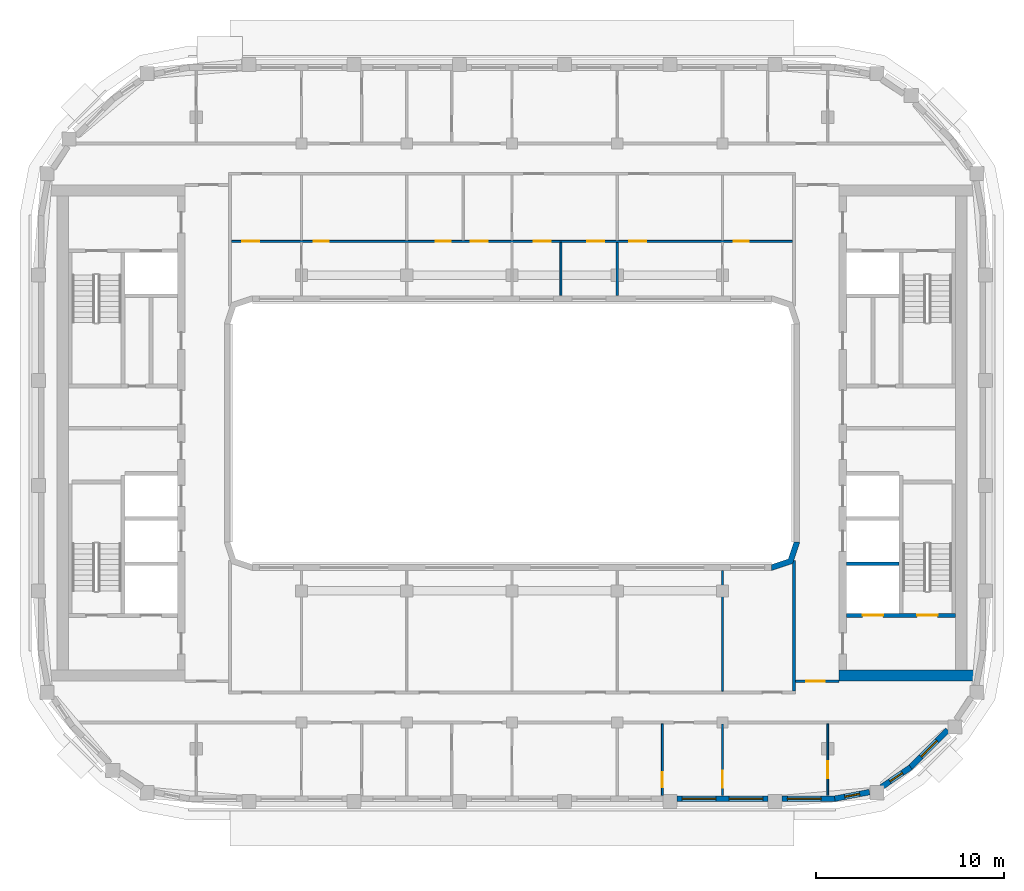
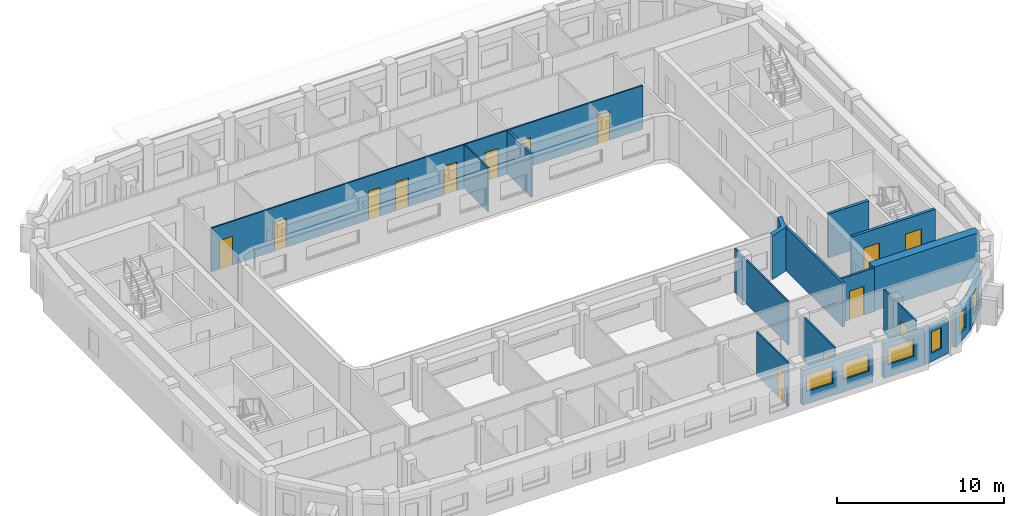
# One storey, part 5 of 16: 18 walls, 14 doors, 6 windows, 20 openings.
"""IFC4 building model written with IfcOpenShell, lengths in metres."""

from ifc_helpers import new_model, si_unit, direction, frame, frame_2d, origin, place, context, subcontext, project, spatial, polyline, rectangle, outline, extrude, material, layer, layer_set, type_object, element, fill, save


model = new_model("IFC4")

# Units and contexts
model_context = context("Model", 3, precision=1e-05, world=origin(), true_north=direction((0.0, 1.0)))
body_context = subcontext(model_context, "Body", "Model", "MODEL_VIEW")
ifc_project = project(units=[si_unit("LENGTHUNIT", "METRE"), si_unit("AREAUNIT", "SQUARE_METRE"), si_unit("VOLUMEUNIT", "CUBIC_METRE"), si_unit("PLANEANGLEUNIT", "RADIAN"), si_unit("MASSUNIT", "GRAM", prefix="KILO")], contexts=[model_context])

# Site, building, storey
site_placement = place(None, origin())
site = spatial("IfcSite", under=ifc_project, at=site_placement, CompositionType="ELEMENT")
building_placement = place(site_placement, origin())
building = spatial("IfcBuilding", under=site, at=building_placement, Name="Kiln Ring Residences", CompositionType="ELEMENT")
storey_placement = place(building_placement, frame((0.0, 0.0, 276.699951171875)))
storey = spatial("IfcBuildingStorey", under=building, at=storey_placement, Name="L72", CompositionType="ELEMENT", Elevation=276.699951171875)

# Wall
ifc_material_1 = material(Name="Gypsum shaft wall system")
ifc_layer_1 = layer(ifc_material_1, 0.199951171875)
ifc_layer_set_1 = layer_set([ifc_layer_1], Name="CORE-SHAFT-WALL-200")
wall_type_1 = type_object("IfcWallType", Name="CORE-SHAFT-WALL-200", PredefinedType="PARTITIONING", material=ifc_layer_set_1)
wall_1_placement = place(storey_placement, frame((17.800048828125, -6.949951171875, 0.0), z_axis=(0.0, 0.0, 1.0), x_axis=(1.0, 0.0, 0.0)))
element("IfcWall", 1, at=wall_1_placement, inside=storey, type_object=wall_type_1, Name="Core partition east L72 3", PredefinedType="PARTITIONING", context=body_context, shape_type="SweptSolid", body=[
    extrude(rectangle(XDim=2.800048828125, YDim=0.199951171875, at=frame_2d((1.39990234375, 0.0))), origin(), (0.0, 0.0, 1.0), 3.199951171875),
])

# Wall, openings, doors
ifc_material_2 = material(Name="Concrete C40/50", Category="concrete")
ifc_layer_2 = layer(ifc_material_2, 0.199951171875)
ifc_layer_set_2 = layer_set([ifc_layer_2], Name="CORE-WALL-RC200")
wall_type_2 = type_object("IfcWallType", Name="CORE-WALL-RC200", PredefinedType="SHEAR", material=ifc_layer_set_2)
wall_2_placement = place(storey_placement, frame((17.800048828125, -9.699951171875, 0.0), z_axis=(0.0, 0.0, 1.0), x_axis=(1.0, 0.0, 0.0)))
wall_2 = element("IfcWall", 2, at=wall_2_placement, inside=storey, type_object=wall_type_2, Name="Core wall east L72 8", PredefinedType="SHEAR", context=body_context, shape_type="SweptSolid", body=[
    extrude(rectangle(XDim=5.800048828125, YDim=0.199951171875, at=frame_2d((2.89990234375, 0.0))), origin(), (0.0, 0.0, 1.0), 3.199951171875),
])
opening_1_placement = place(wall_2_placement, frame((0.85009765625, 0.0, 0.0)))
opening_1 = element("IfcOpeningElement", 3, at=opening_1_placement, cuts=wall_2, Name="Opening L72-CE01", PredefinedType="OPENING", context=body_context, shape_type="SweptSolid", body=[
    extrude(rectangle(XDim=1.10009765625, YDim=2.10009765625, at=frame_2d((0.550048828125, 1.050048828125))), frame((0.0, 0.10986328125, 0.0), z_axis=(0.0, -1.0, 0.0), x_axis=(1.0, 0.0, 0.0)), (0.0, 0.0, 1.0), 0.219970703125),
])
opening_2_placement = place(wall_2_placement, frame((3.75, 0.0, 0.0)))
opening_2 = element("IfcOpeningElement", 4, at=opening_2_placement, cuts=wall_2, Name="Opening L72-CE11", PredefinedType="OPENING", context=body_context, shape_type="SweptSolid", body=[
    extrude(rectangle(XDim=1.10009765625, YDim=2.10009765625, at=frame_2d((0.550048828125, 1.050048828125))), frame((0.0, 0.10986328125, 0.0), z_axis=(0.0, -1.0, 0.0), x_axis=(1.0, 0.0, 0.0)), (0.0, 0.0, 1.0), 0.219970703125),
])
ifc_material_3 = material(Name="Steel door leaf", Category="steel")
door_type_1 = type_object("IfcDoorType", Name="CORE-DOOR-LD", OperationType="DOUBLE_DOOR_SLIDING", PredefinedType="DOOR", material=ifc_material_3)
door_1_placement = place(opening_1_placement, origin())
door_1 = element("IfcDoor", 5, at=door_1_placement, inside=storey, type_object=door_type_1, Name="LD E-SV L72-CE01", OperationType="DOUBLE_DOOR_SLIDING", OverallHeight=2.10009765625, OverallWidth=1.10009765625, PredefinedType="DOOR", context=body_context, shape_type="SweptSolid", body=[
    extrude(rectangle(XDim=1.10009765625, YDim=2.10009765625, at=frame_2d((0.550048828125, 1.050048828125))), frame((0.0, 0.02490234375, 0.0), z_axis=(0.0, -1.0, 0.0), x_axis=(1.0, 0.0, 0.0)), (0.0, 0.0, 1.0), 0.050048828125),
])
fill(opening_1, door_1)
ifc_material_4 = material(Name="Steel door leaf", Category="steel")
door_type_2 = type_object("IfcDoorType", Name="CORE-DOOR-STAIR", OperationType="SINGLE_SWING_LEFT", PredefinedType="DOOR", material=ifc_material_4)
door_2_placement = place(opening_2_placement, origin())
door_2 = element("IfcDoor", 6, at=door_2_placement, inside=storey, type_object=door_type_2, Name="Stair E-STS L72-CE11", OperationType="SINGLE_SWING_LEFT", OverallHeight=2.10009765625, OverallWidth=1.10009765625, PredefinedType="DOOR", context=body_context, shape_type="SweptSolid", body=[
    extrude(rectangle(XDim=1.10009765625, YDim=2.10009765625, at=frame_2d((0.550048828125, 1.050048828125))), frame((0.0, 0.02490234375, 0.0), z_axis=(0.0, -1.0, 0.0), x_axis=(1.0, 0.0, 0.0)), (0.0, 0.0, 1.0), 0.050048828125),
])
fill(opening_2, door_2)

# Wall
ifc_material_5 = material(Name="Concrete C60/75", Category="concrete")
ifc_layer_3 = layer(ifc_material_5, 0.60009765625)
ifc_layer_set_3 = layer_set([ifc_layer_3], Name="CORE-WALL-RC600")
wall_type_3 = type_object("IfcWallType", Name="CORE-WALL-RC600", PredefinedType="SHEAR", material=ifc_layer_set_3)
wall_3_placement = place(storey_placement, frame((17.39990234375, -12.89990234375, 0.0), z_axis=(0.0, 0.0, 1.0), x_axis=(1.0, 0.0, 0.0)))
element("IfcWall", 7, at=wall_3_placement, inside=storey, type_object=wall_type_3, Name="Core wall east L72 5", PredefinedType="SHEAR", context=body_context, shape_type="SweptSolid", body=[
    extrude(rectangle(XDim=7.320068359375, YDim=0.60009765625, at=frame_2d((3.66015625, 0.0))), origin(), (0.0, 0.0, 1.0), 3.199951171875),
])

# Wall, openings, windows
ifc_material_6 = material(Name="Brick masonry, dark clay brick", Category="masonry")
ifc_layer_4 = layer(ifc_material_6, 0.300048828125)
ifc_layer_set_4 = layer_set([ifc_layer_4], Name="EW-300 BRICK WALL")
wall_type_4 = type_object("IfcWallType", Name="EW-300 BRICK WALL", PredefinedType="SOLIDWALL", material=ifc_layer_set_4)
wall_4_placement = place(storey_placement, frame((8.77490234375, -19.449951171875, 0.0), z_axis=(0.0, 0.0, 1.0), x_axis=(1.0, 0.0, 0.0)))
wall_4 = element("IfcWall", 8, at=wall_4_placement, inside=storey, type_object=wall_type_4, Name="Facade wall L72 9", PredefinedType="SOLIDWALL", context=body_context, shape_type="SweptSolid", body=[
    extrude(rectangle(XDim=4.85009765625, YDim=0.300048828125, at=frame_2d((2.425048828125, 0.0))), origin(), (0.0, 0.0, 1.0), 2.550048828125),
])
opening_3_placement = place(wall_4_placement, frame((0.27490234375, 0.0, 0.89990234375)))
opening_3 = element("IfcOpeningElement", 9, at=opening_3_placement, cuts=wall_4, Name="Opening W2", PredefinedType="OPENING", context=body_context, shape_type="SweptSolid", body=[
    extrude(rectangle(XDim=1.800048828125, YDim=1.25, at=frame_2d((0.89990234375, 0.625))), frame((0.0, 0.159912109375, 0.0), z_axis=(0.0, -1.0, 0.0), x_axis=(1.0, 0.0, 0.0)), (0.0, 0.0, 1.0), 0.320068359375),
])
opening_4_placement = place(wall_4_placement, frame((2.77490234375, 0.0, 0.89990234375)))
opening_4 = element("IfcOpeningElement", 10, at=opening_4_placement, cuts=wall_4, Name="Opening W2", PredefinedType="OPENING", context=body_context, shape_type="SweptSolid", body=[
    extrude(rectangle(XDim=1.800048828125, YDim=1.25, at=frame_2d((0.89990234375, 0.625))), frame((0.0, 0.159912109375, 0.0), z_axis=(0.0, -1.0, 0.0), x_axis=(1.0, 0.0, 0.0)), (0.0, 0.0, 1.0), 0.320068359375),
])
ifc_material_7 = material(Name="Aluminium frame with double glazing", Category="aluminium")
window_type_1 = type_object("IfcWindowType", Name="WINDOW 1800 x 1250", PartitioningType="SINGLE_PANEL", PredefinedType="WINDOW", material=ifc_material_7)
window_1_placement = place(opening_3_placement, origin())
window_1 = element("IfcWindow", 11, at=window_1_placement, inside=storey, type_object=window_type_1, Name="Window L72 12", OverallHeight=1.25, OverallWidth=1.800048828125, PartitioningType="SINGLE_PANEL", PredefinedType="WINDOW", context=body_context, shape_type="SweptSolid", body=[
    extrude(rectangle(XDim=1.800048828125, YDim=1.25, at=frame_2d((0.89990234375, 0.625))), frame((0.0, 0.030029296875, 0.0), z_axis=(0.0, -1.0, 0.0), x_axis=(1.0, 0.0, 0.0)), (0.0, 0.0, 1.0), 0.06005859375),
])
fill(opening_3, window_1)
window_2_placement = place(opening_4_placement, origin())
window_2 = element("IfcWindow", 12, at=window_2_placement, inside=storey, type_object=window_type_1, Name="Window L72 13", OverallHeight=1.25, OverallWidth=1.800048828125, PartitioningType="SINGLE_PANEL", PredefinedType="WINDOW", context=body_context, shape_type="SweptSolid", body=[
    extrude(rectangle(XDim=1.800048828125, YDim=1.25, at=frame_2d((0.89990234375, 0.625))), frame((0.0, 0.030029296875, 0.0), z_axis=(0.0, -1.0, 0.0), x_axis=(1.0, 0.0, 0.0)), (0.0, 0.0, 1.0), 0.06005859375),
])
fill(opening_4, window_2)

# Wall, opening, window
wall_5_placement = place(storey_placement, frame((14.375, -19.449951171875, 0.0), z_axis=(0.0, 0.0, 1.0), x_axis=(1.0, 0.0, 0.0)))
wall_5 = element("IfcWall", 13, at=wall_5_placement, inside=storey, type_object=wall_type_4, Name="Facade wall L72 10", PredefinedType="SOLIDWALL", context=body_context, shape_type="SweptSolid", body=[
    extrude(rectangle(XDim=2.824951171875, YDim=0.300048828125, at=frame_2d((1.41259765625, 0.0))), origin(), (0.0, 0.0, 1.0), 2.550048828125),
])
opening_5_placement = place(wall_5_placement, frame((0.27490234375, 0.0, 0.89990234375)))
opening_5 = element("IfcOpeningElement", 14, at=opening_5_placement, cuts=wall_5, Name="Opening W2", PredefinedType="OPENING", context=body_context, shape_type="SweptSolid", body=[
    extrude(rectangle(XDim=1.800048828125, YDim=1.25, at=frame_2d((0.89990234375, 0.625))), frame((0.0, 0.159912109375, 0.0), z_axis=(0.0, -1.0, 0.0), x_axis=(1.0, 0.0, 0.0)), (0.0, 0.0, 1.0), 0.320068359375),
])
window_3_placement = place(opening_5_placement, origin())
window_3 = element("IfcWindow", 15, at=window_3_placement, inside=storey, type_object=window_type_1, Name="Window L72 14", OverallHeight=1.25, OverallWidth=1.800048828125, PartitioningType="SINGLE_PANEL", PredefinedType="WINDOW", context=body_context, shape_type="SweptSolid", body=[
    extrude(rectangle(XDim=1.800048828125, YDim=1.25, at=frame_2d((0.89990234375, 0.625))), frame((0.0, 0.030029296875, 0.0), z_axis=(0.0, -1.0, 0.0), x_axis=(1.0, 0.0, 0.0)), (0.0, 0.0, 1.0), 0.06005859375),
])
fill(opening_5, window_3)

wall_6_placement = place(storey_placement, frame((17.171875, -19.45263671875, 0.0), z_axis=(0.0, 0.0, 1.0), x_axis=(0.982284001233, 0.187398348234, 0.0)))
wall_6 = element("IfcWall", 16, at=wall_6_placement, inside=storey, type_object=wall_type_4, Name="Facade wall L72 11", PredefinedType="SOLIDWALL", context=body_context, shape_type="SweptSolid", body=[
    extrude(rectangle(XDim=1.88134765625, YDim=0.300048828125, at=frame_2d((0.940673828125, 0.0))), origin(), (0.0, 0.0, 1.0), 2.550048828125),
])
opening_6_placement = place(wall_6_placement, frame((0.54052734375, 0.0, 0.60009765625)))
opening_6 = element("IfcOpeningElement", 17, at=opening_6_placement, cuts=wall_6, Name="Opening W5", PredefinedType="OPENING", context=body_context, shape_type="SweptSolid", body=[
    extrude(rectangle(XDim=0.800048828125, YDim=1.550048828125, at=frame_2d((0.39990234375, 0.77490234375))), frame((0.0, 0.159912109375, 0.0), z_axis=(0.0, -1.0, 0.0), x_axis=(1.0, 0.0, 0.0)), (0.0, 0.0, 1.0), 0.320068359375),
])
ifc_material_8 = material(Name="Aluminium frame with double glazing", Category="aluminium")
window_type_2 = type_object("IfcWindowType", Name="WINDOW 800 x 1550", PartitioningType="SINGLE_PANEL", PredefinedType="WINDOW", material=ifc_material_8)
window_4_placement = place(opening_6_placement, origin())
window_4 = element("IfcWindow", 18, at=window_4_placement, inside=storey, type_object=window_type_2, Name="Window L72 15", OverallHeight=1.550048828125, OverallWidth=0.800048828125, PartitioningType="SINGLE_PANEL", PredefinedType="WINDOW", context=body_context, shape_type="SweptSolid", body=[
    extrude(rectangle(XDim=0.800048828125, YDim=1.550048828125, at=frame_2d((0.39990234375, 0.77490234375))), frame((0.0, 0.030029296875, 0.0), z_axis=(0.0, -1.0, 0.0), x_axis=(1.0, 0.0, 0.0)), (0.0, 0.0, 1.0), 0.06005859375),
])
fill(opening_6, window_4)

wall_7_placement = place(storey_placement, frame((19.656982421875, -18.836181640625, 0.0), z_axis=(0.0, 0.0, 1.0), x_axis=(0.82704477487, 0.562136051469, 0.0)))
wall_7 = element("IfcWall", 19, at=wall_7_placement, inside=storey, type_object=wall_type_4, Name="Facade wall L72 12", PredefinedType="SOLIDWALL", context=body_context, shape_type="SweptSolid", body=[
    extrude(rectangle(XDim=1.881103515625, YDim=0.300048828125, at=frame_2d((0.9404296875, 0.0))), origin(), (0.0, 0.0, 1.0), 2.550048828125),
])
opening_7_placement = place(wall_7_placement, frame((0.54052734375, 0.0, 0.60009765625)))
opening_7 = element("IfcOpeningElement", 20, at=opening_7_placement, cuts=wall_7, Name="Opening W5", PredefinedType="OPENING", context=body_context, shape_type="SweptSolid", body=[
    extrude(rectangle(XDim=0.800048828125, YDim=1.550048828125, at=frame_2d((0.39990234375, 0.77490234375))), frame((0.0, 0.159912109375, 0.0), z_axis=(0.0, -1.0, 0.0), x_axis=(1.0, 0.0, 0.0)), (0.0, 0.0, 1.0), 0.320068359375),
])
window_5_placement = place(opening_7_placement, origin())
window_5 = element("IfcWindow", 21, at=window_5_placement, inside=storey, type_object=window_type_2, Name="Window L72 16", OverallHeight=1.550048828125, OverallWidth=0.800048828125, PartitioningType="SINGLE_PANEL", PredefinedType="WINDOW", context=body_context, shape_type="SweptSolid", body=[
    extrude(rectangle(XDim=0.800048828125, YDim=1.550048828125, at=frame_2d((0.39990234375, 0.77490234375))), frame((0.0, 0.030029296875, 0.0), z_axis=(0.0, -1.0, 0.0), x_axis=(1.0, 0.0, 0.0)), (0.0, 0.0, 1.0), 0.06005859375),
])
fill(opening_7, window_5)

wall_8_placement = place(storey_placement, frame((21.19091796875, -17.796875, 0.0), z_axis=(0.0, 0.0, 1.0), x_axis=(0.707106781187, 0.707106781187, 0.0)))
wall_8 = element("IfcWall", 22, at=wall_8_placement, inside=storey, type_object=wall_type_4, Name="Facade wall L72 13", PredefinedType="SOLIDWALL", context=body_context, shape_type="SweptSolid", body=[
    extrude(rectangle(XDim=2.824951171875, YDim=0.300048828125, at=frame_2d((1.41259765625, 0.0))), origin(), (0.0, 0.0, 1.0), 2.550048828125),
])
opening_8_placement = place(wall_8_placement, frame((0.8125, 0.0, 0.60009765625)))
opening_8 = element("IfcOpeningElement", 23, at=opening_8_placement, cuts=wall_8, Name="Opening W1", PredefinedType="OPENING", context=body_context, shape_type="SweptSolid", body=[
    extrude(rectangle(XDim=1.199951171875, YDim=1.550048828125, at=frame_2d((0.60009765625, 0.77490234375))), frame((0.0, 0.159912109375, 0.0), z_axis=(0.0, -1.0, 0.0), x_axis=(1.0, 0.0, 0.0)), (0.0, 0.0, 1.0), 0.320068359375),
])
ifc_material_9 = material(Name="Aluminium frame with double glazing", Category="aluminium")
window_type_3 = type_object("IfcWindowType", Name="WINDOW 1200 x 1550", PartitioningType="SINGLE_PANEL", PredefinedType="WINDOW", material=ifc_material_9)
window_6_placement = place(opening_8_placement, origin())
window_6 = element("IfcWindow", 24, at=window_6_placement, inside=storey, type_object=window_type_3, Name="Window L72 17", OverallHeight=1.550048828125, OverallWidth=1.199951171875, PartitioningType="SINGLE_PANEL", PredefinedType="WINDOW", context=body_context, shape_type="SweptSolid", body=[
    extrude(rectangle(XDim=1.199951171875, YDim=1.550048828125, at=frame_2d((0.60009765625, 0.77490234375))), frame((0.0, 0.030029296875, 0.0), z_axis=(0.0, -1.0, 0.0), x_axis=(1.0, 0.0, 0.0)), (0.0, 0.0, 1.0), 0.06005859375),
])
fill(opening_8, window_6)

# Wall
wall_9_placement = place(storey_placement, origin())
element("IfcWall", 25, at=wall_9_placement, inside=storey, type_object=wall_type_4, Name="Corner wall L72 3", PredefinedType="SOLIDWALL", context=body_context, shape_type="SweptSolid", body=[
    extrude(outline(polyline([(14.937255859375, -6.937255859375), (15.300048828125, -5.8486328125), (15.300048828125, -5.800048828125), (15.0, -5.800048828125), (14.699951171875, -6.699951171875), (13.800048828125, -7.0), (13.800048828125, -7.300048828125), (13.8486328125, -7.300048828125), (14.937255859375, -6.937255859375)])), origin(), (0.0, 0.0, 1.0), 3.199951171875),
])

# Wall, openings, doors
ifc_material_10 = material(Name="Gypsum board on steel studs", Category="steel")
ifc_layer_5 = layer(ifc_material_10, 0.10009765625)
ifc_layer_set_5 = layer_set([ifc_layer_5], Name="PARTITION-100")
wall_type_5 = type_object("IfcWallType", Name="PARTITION-100", PredefinedType="PARTITIONING", material=ifc_layer_set_5)
wall_10_placement = place(storey_placement, frame((-14.925048828125, 10.199951171875, 0.0), z_axis=(0.0, 0.0, 1.0), x_axis=(1.0, 0.0, 0.0)))
wall_10 = element("IfcWall", 26, at=wall_10_placement, inside=storey, type_object=wall_type_5, Name="Partition 004", PredefinedType="PARTITIONING", context=body_context, shape_type="SweptSolid", body=[
    extrude(rectangle(XDim=29.85009765625, YDim=0.10009765625, at=frame_2d((14.925048828125, 0.0))), origin(), (0.0, 0.0, 1.0), 3.199951171875),
])
opening_9_placement = place(wall_10_placement, frame((4.375, 0.0, 0.0)))
opening_9 = element("IfcOpeningElement", 27, at=opening_9_placement, cuts=wall_10, Name="Opening L72-D006", PredefinedType="OPENING", context=body_context, shape_type="SweptSolid", body=[
    extrude(rectangle(XDim=0.800048828125, YDim=2.10009765625, at=frame_2d((0.39990234375, 1.050048828125))), frame((0.0, 0.06005859375, 0.0), z_axis=(0.0, -1.0, 0.0), x_axis=(1.0, 0.0, 0.0)), (0.0, 0.0, 1.0), 0.1201171875),
])
opening_10_placement = place(wall_10_placement, frame((0.575927734375, 0.0, 0.0)))
opening_10 = element("IfcOpeningElement", 28, at=opening_10_placement, cuts=wall_10, Name="Opening L72-D007", PredefinedType="OPENING", context=body_context, shape_type="SweptSolid", body=[
    extrude(rectangle(XDim=0.89990234375, YDim=2.10009765625, at=frame_2d((0.449951171875, 1.050048828125))), frame((0.0, 0.06005859375, 0.0), z_axis=(0.0, -1.0, 0.0), x_axis=(1.0, 0.0, 0.0)), (0.0, 0.0, 1.0), 0.1201171875),
])
opening_11_placement = place(wall_10_placement, frame((10.875, 0.0, 0.0)))
opening_11 = element("IfcOpeningElement", 29, at=opening_11_placement, cuts=wall_10, Name="Opening L72-D011", PredefinedType="OPENING", context=body_context, shape_type="SweptSolid", body=[
    extrude(rectangle(XDim=0.800048828125, YDim=2.10009765625, at=frame_2d((0.39990234375, 1.050048828125))), frame((0.0, 0.06005859375, 0.0), z_axis=(0.0, -1.0, 0.0), x_axis=(1.0, 0.0, 0.0)), (0.0, 0.0, 1.0), 0.1201171875),
])
opening_12_placement = place(wall_10_placement, frame((12.72509765625, 0.0, 0.0)))
opening_12 = element("IfcOpeningElement", 30, at=opening_12_placement, cuts=wall_10, Name="Opening L72-D012", PredefinedType="OPENING", context=body_context, shape_type="SweptSolid", body=[
    extrude(rectangle(XDim=0.89990234375, YDim=2.10009765625, at=frame_2d((0.449951171875, 1.050048828125))), frame((0.0, 0.06005859375, 0.0), z_axis=(0.0, -1.0, 0.0), x_axis=(1.0, 0.0, 0.0)), (0.0, 0.0, 1.0), 0.1201171875),
])
opening_13_placement = place(wall_10_placement, frame((16.074951171875, 0.0, 0.0)))
opening_13 = element("IfcOpeningElement", 31, at=opening_13_placement, cuts=wall_10, Name="Opening L72-D013", PredefinedType="OPENING", context=body_context, shape_type="SweptSolid", body=[
    extrude(rectangle(XDim=0.89990234375, YDim=2.10009765625, at=frame_2d((0.449951171875, 1.050048828125))), frame((0.0, 0.06005859375, 0.0), z_axis=(0.0, -1.0, 0.0), x_axis=(1.0, 0.0, 0.0)), (0.0, 0.0, 1.0), 0.1201171875),
])
opening_14_placement = place(wall_10_placement, frame((18.925048828125, 0.0, 0.0)))
opening_14 = element("IfcOpeningElement", 32, at=opening_14_placement, cuts=wall_10, Name="Opening L72-D014", PredefinedType="OPENING", context=body_context, shape_type="SweptSolid", body=[
    extrude(rectangle(XDim=0.89990234375, YDim=2.10009765625, at=frame_2d((0.449951171875, 1.050048828125))), frame((0.0, 0.06005859375, 0.0), z_axis=(0.0, -1.0, 0.0), x_axis=(1.0, 0.0, 0.0)), (0.0, 0.0, 1.0), 0.1201171875),
])
opening_15_placement = place(wall_10_placement, frame((26.72412109375, 0.0, 0.0)))
opening_15 = element("IfcOpeningElement", 33, at=opening_15_placement, cuts=wall_10, Name="Opening L72-D016", PredefinedType="OPENING", context=body_context, shape_type="SweptSolid", body=[
    extrude(rectangle(XDim=0.800048828125, YDim=2.10009765625, at=frame_2d((0.39990234375, 1.050048828125))), frame((0.0, 0.06005859375, 0.0), z_axis=(0.0, -1.0, 0.0), x_axis=(1.0, 0.0, 0.0)), (0.0, 0.0, 1.0), 0.1201171875),
])
opening_16_placement = place(wall_10_placement, frame((21.175048828125, 0.0, 0.0)))
opening_16 = element("IfcOpeningElement", 34, at=opening_16_placement, cuts=wall_10, Name="Opening L72-D017", PredefinedType="OPENING", context=body_context, shape_type="SweptSolid", body=[
    extrude(rectangle(XDim=0.89990234375, YDim=2.10009765625, at=frame_2d((0.449951171875, 1.050048828125))), frame((0.0, 0.06005859375, 0.0), z_axis=(0.0, -1.0, 0.0), x_axis=(1.0, 0.0, 0.0)), (0.0, 0.0, 1.0), 0.1201171875),
])
ifc_material_11 = material(Name="Timber door leaf", Category="wood")
door_type_3 = type_object("IfcDoorType", Name="FLAT-DOOR-800-PL", OperationType="SINGLE_SWING_LEFT", PredefinedType="DOOR", material=ifc_material_11)
door_3_placement = place(opening_9_placement, origin())
door_3 = element("IfcDoor", 35, at=door_3_placement, inside=storey, type_object=door_type_3, Name="Door L72-D006", OperationType="SINGLE_SWING_RIGHT", OverallHeight=2.10009765625, OverallWidth=0.800048828125, PredefinedType="DOOR", context=body_context, shape_type="SweptSolid", body=[
    extrude(rectangle(XDim=0.800048828125, YDim=2.10009765625, at=frame_2d((0.39990234375, 1.050048828125))), frame((0.0, 0.02490234375, 0.0), z_axis=(0.0, -1.0, 0.0), x_axis=(1.0, 0.0, 0.0)), (0.0, 0.0, 1.0), 0.050048828125),
])
fill(opening_9, door_3)
door_4_placement = place(opening_11_placement, origin())
door_4 = element("IfcDoor", 36, at=door_4_placement, inside=storey, type_object=door_type_3, Name="Door L72-D011", OperationType="SINGLE_SWING_LEFT", OverallHeight=2.10009765625, OverallWidth=0.800048828125, PredefinedType="DOOR", context=body_context, shape_type="SweptSolid", body=[
    extrude(rectangle(XDim=0.800048828125, YDim=2.10009765625, at=frame_2d((0.39990234375, 1.050048828125))), frame((0.0, 0.02490234375, 0.0), z_axis=(0.0, -1.0, 0.0), x_axis=(1.0, 0.0, 0.0)), (0.0, 0.0, 1.0), 0.050048828125),
])
fill(opening_11, door_4)
door_5_placement = place(opening_15_placement, origin())
door_5 = element("IfcDoor", 37, at=door_5_placement, inside=storey, type_object=door_type_3, Name="Door L72-D016", OperationType="SINGLE_SWING_RIGHT", OverallHeight=2.10009765625, OverallWidth=0.800048828125, PredefinedType="DOOR", context=body_context, shape_type="SweptSolid", body=[
    extrude(rectangle(XDim=0.800048828125, YDim=2.10009765625, at=frame_2d((0.39990234375, 1.050048828125))), frame((0.0, 0.02490234375, 0.0), z_axis=(0.0, -1.0, 0.0), x_axis=(1.0, 0.0, 0.0)), (0.0, 0.0, 1.0), 0.050048828125),
])
fill(opening_15, door_5)
ifc_material_12 = material(Name="Timber door leaf", Category="wood")
door_type_4 = type_object("IfcDoorType", Name="FLAT-DOOR-900-PL", OperationType="SINGLE_SWING_LEFT", PredefinedType="DOOR", material=ifc_material_12)
door_6_placement = place(opening_10_placement, origin())
door_6 = element("IfcDoor", 38, at=door_6_placement, inside=storey, type_object=door_type_4, Name="Door L72-D007", OperationType="SINGLE_SWING_LEFT", OverallHeight=2.10009765625, OverallWidth=0.89990234375, PredefinedType="DOOR", context=body_context, shape_type="SweptSolid", body=[
    extrude(rectangle(XDim=0.89990234375, YDim=2.10009765625, at=frame_2d((0.449951171875, 1.050048828125))), frame((0.0, 0.02490234375, 0.0), z_axis=(0.0, -1.0, 0.0), x_axis=(1.0, 0.0, 0.0)), (0.0, 0.0, 1.0), 0.050048828125),
])
fill(opening_10, door_6)
door_7_placement = place(opening_12_placement, origin())
door_7 = element("IfcDoor", 39, at=door_7_placement, inside=storey, type_object=door_type_4, Name="Door L72-D012", OperationType="SINGLE_SWING_LEFT", OverallHeight=2.10009765625, OverallWidth=0.89990234375, PredefinedType="DOOR", context=body_context, shape_type="SweptSolid", body=[
    extrude(rectangle(XDim=0.89990234375, YDim=2.10009765625, at=frame_2d((0.449951171875, 1.050048828125))), frame((0.0, 0.02490234375, 0.0), z_axis=(0.0, -1.0, 0.0), x_axis=(1.0, 0.0, 0.0)), (0.0, 0.0, 1.0), 0.050048828125),
])
fill(opening_12, door_7)
door_8_placement = place(opening_13_placement, origin())
door_8 = element("IfcDoor", 40, at=door_8_placement, inside=storey, type_object=door_type_4, Name="Door L72-D013", OperationType="SINGLE_SWING_RIGHT", OverallHeight=2.10009765625, OverallWidth=0.89990234375, PredefinedType="DOOR", context=body_context, shape_type="SweptSolid", body=[
    extrude(rectangle(XDim=0.89990234375, YDim=2.10009765625, at=frame_2d((0.449951171875, 1.050048828125))), frame((0.0, 0.02490234375, 0.0), z_axis=(0.0, -1.0, 0.0), x_axis=(1.0, 0.0, 0.0)), (0.0, 0.0, 1.0), 0.050048828125),
])
fill(opening_13, door_8)
door_9_placement = place(opening_14_placement, origin())
door_9 = element("IfcDoor", 41, at=door_9_placement, inside=storey, type_object=door_type_4, Name="Door L72-D014", OperationType="SINGLE_SWING_RIGHT", OverallHeight=2.10009765625, OverallWidth=0.89990234375, PredefinedType="DOOR", context=body_context, shape_type="SweptSolid", body=[
    extrude(rectangle(XDim=0.89990234375, YDim=2.10009765625, at=frame_2d((0.449951171875, 1.050048828125))), frame((0.0, 0.02490234375, 0.0), z_axis=(0.0, -1.0, 0.0), x_axis=(1.0, 0.0, 0.0)), (0.0, 0.0, 1.0), 0.050048828125),
])
fill(opening_14, door_9)
door_10_placement = place(opening_16_placement, origin())
door_10 = element("IfcDoor", 42, at=door_10_placement, inside=storey, type_object=door_type_4, Name="Door L72-D017", OperationType="SINGLE_SWING_LEFT", OverallHeight=2.10009765625, OverallWidth=0.89990234375, PredefinedType="DOOR", context=body_context, shape_type="SweptSolid", body=[
    extrude(rectangle(XDim=0.89990234375, YDim=2.10009765625, at=frame_2d((0.449951171875, 1.050048828125))), frame((0.0, 0.02490234375, 0.0), z_axis=(0.0, -1.0, 0.0), x_axis=(1.0, 0.0, 0.0)), (0.0, 0.0, 1.0), 0.050048828125),
])
fill(opening_16, door_10)

# Wall
wall_11_placement = place(storey_placement, frame((2.60009765625, 7.320068359375, 0.0), z_axis=(0.0, 0.0, 1.0), x_axis=(0.0, 1.0, 0.0)))
element("IfcWall", 43, at=wall_11_placement, inside=storey, type_object=wall_type_5, Name="Partition 033", PredefinedType="PARTITIONING", context=body_context, shape_type="SweptSolid", body=[
    extrude(rectangle(XDim=2.829833984375, YDim=0.10009765625, at=frame_2d((1.4150390625, 0.0))), origin(), (0.0, 0.0, 1.0), 3.199951171875),
])

# Wall, opening, door
wall_12_placement = place(storey_placement, frame((8.0, -19.280029296875, 0.0), z_axis=(0.0, 0.0, 1.0), x_axis=(0.0, 1.0, 0.0)))
wall_12 = element("IfcWall", 44, at=wall_12_placement, inside=storey, type_object=wall_type_5, Name="Partition 039", PredefinedType="PARTITIONING", context=body_context, shape_type="SweptSolid", body=[
    extrude(rectangle(XDim=3.804931640625, YDim=0.10009765625, at=frame_2d((1.90234375, 0.0))), origin(), (0.0, 0.0, 1.0), 3.199951171875),
])
opening_17_placement = place(wall_12_placement, frame((0.428955078125, 0.0, 0.0)))
opening_17 = element("IfcOpeningElement", 45, at=opening_17_placement, cuts=wall_12, Name="Opening L72-D044", PredefinedType="OPENING", context=body_context, shape_type="SweptSolid", body=[
    extrude(rectangle(XDim=0.800048828125, YDim=2.10009765625, at=frame_2d((0.39990234375, 1.050048828125))), frame((0.0, 0.06005859375, 0.0), z_axis=(0.0, -1.0, 0.0), x_axis=(1.0, 0.0, 0.0)), (0.0, 0.0, 1.0), 0.1201171875),
])
door_11_placement = place(opening_17_placement, origin())
door_11 = element("IfcDoor", 46, at=door_11_placement, inside=storey, type_object=door_type_3, Name="Door L72-D044", OperationType="SINGLE_SWING_RIGHT", OverallHeight=2.10009765625, OverallWidth=0.800048828125, PredefinedType="DOOR", context=body_context, shape_type="SweptSolid", body=[
    extrude(rectangle(XDim=0.800048828125, YDim=2.10009765625, at=frame_2d((0.39990234375, 1.050048828125))), frame((0.0, 0.02490234375, 0.0), z_axis=(0.0, -1.0, 0.0), x_axis=(1.0, 0.0, 0.0)), (0.0, 0.0, 1.0), 0.050048828125),
])
fill(opening_17, door_11)

wall_13_placement = place(storey_placement, frame((11.199951171875, -19.280029296875, 0.0), z_axis=(0.0, 0.0, 1.0), x_axis=(0.0, 1.0, 0.0)))
wall_13 = element("IfcWall", 47, at=wall_13_placement, inside=storey, type_object=wall_type_5, Name="Partition 040", PredefinedType="PARTITIONING", context=body_context, shape_type="SweptSolid", body=[
    extrude(rectangle(XDim=3.804931640625, YDim=0.10009765625, at=frame_2d((1.90234375, 0.0))), origin(), (0.0, 0.0, 1.0), 3.199951171875),
])
opening_18_placement = place(wall_13_placement, frame((0.419921875, 0.0, 0.0)))
opening_18 = element("IfcOpeningElement", 48, at=opening_18_placement, cuts=wall_13, Name="Opening L72-D045", PredefinedType="OPENING", context=body_context, shape_type="SweptSolid", body=[
    extrude(rectangle(XDim=0.89990234375, YDim=2.10009765625, at=frame_2d((0.449951171875, 1.050048828125))), frame((0.0, 0.06005859375, 0.0), z_axis=(0.0, -1.0, 0.0), x_axis=(1.0, 0.0, 0.0)), (0.0, 0.0, 1.0), 0.1201171875),
])
door_12_placement = place(opening_18_placement, origin())
door_12 = element("IfcDoor", 49, at=door_12_placement, inside=storey, type_object=door_type_4, Name="Door L72-D045", OperationType="SINGLE_SWING_LEFT", OverallHeight=2.10009765625, OverallWidth=0.89990234375, PredefinedType="DOOR", context=body_context, shape_type="SweptSolid", body=[
    extrude(rectangle(XDim=0.89990234375, YDim=2.10009765625, at=frame_2d((0.449951171875, 1.050048828125))), frame((0.0, 0.02490234375, 0.0), z_axis=(0.0, -1.0, 0.0), x_axis=(1.0, 0.0, 0.0)), (0.0, 0.0, 1.0), 0.050048828125),
])
fill(opening_18, door_12)

# Wall
wall_14_placement = place(storey_placement, frame((11.199951171875, -13.72509765625, 0.0), z_axis=(0.0, 0.0, 1.0), x_axis=(0.0, 1.0, 0.0)))
element("IfcWall", 50, at=wall_14_placement, inside=storey, type_object=wall_type_5, Name="Partition 041", PredefinedType="PARTITIONING", context=body_context, shape_type="SweptSolid", body=[
    extrude(rectangle(XDim=6.405029296875, YDim=0.10009765625, at=frame_2d((3.20263671875, 0.0))), origin(), (0.0, 0.0, 1.0), 3.199951171875),
])

# Wall, opening, door
wall_15_placement = place(storey_placement, frame((16.800048828125, -19.280029296875, 0.0), z_axis=(0.0, 0.0, 1.0), x_axis=(0.0, 1.0, 0.0)))
wall_15 = element("IfcWall", 51, at=wall_15_placement, inside=storey, type_object=wall_type_5, Name="Partition 048", PredefinedType="PARTITIONING", context=body_context, shape_type="SweptSolid", body=[
    extrude(rectangle(XDim=3.804931640625, YDim=0.10009765625, at=frame_2d((1.90234375, 0.0))), origin(), (0.0, 0.0, 1.0), 3.199951171875),
])
opening_19_placement = place(wall_15_placement, frame((0.919921875, 0.0, 0.0)))
opening_19 = element("IfcOpeningElement", 52, at=opening_19_placement, cuts=wall_15, Name="Opening L72-D046", PredefinedType="OPENING", context=body_context, shape_type="SweptSolid", body=[
    extrude(rectangle(XDim=0.89990234375, YDim=2.10009765625, at=frame_2d((0.449951171875, 1.050048828125))), frame((0.0, 0.06005859375, 0.0), z_axis=(0.0, -1.0, 0.0), x_axis=(1.0, 0.0, 0.0)), (0.0, 0.0, 1.0), 0.1201171875),
])
door_13_placement = place(opening_19_placement, origin())
door_13 = element("IfcDoor", 53, at=door_13_placement, inside=storey, type_object=door_type_4, Name="Door L72-D046", OperationType="SINGLE_SWING_LEFT", OverallHeight=2.10009765625, OverallWidth=0.89990234375, PredefinedType="DOOR", context=body_context, shape_type="SweptSolid", body=[
    extrude(rectangle(XDim=0.89990234375, YDim=2.10009765625, at=frame_2d((0.449951171875, 1.050048828125))), frame((0.0, 0.02490234375, 0.0), z_axis=(0.0, -1.0, 0.0), x_axis=(1.0, 0.0, 0.0)), (0.0, 0.0, 1.0), 0.050048828125),
])
fill(opening_19, door_13)

ifc_material_13 = material(Name="Brick masonry partition", Category="masonry")
ifc_layer_6 = layer(ifc_material_13, 0.14990234375)
ifc_layer_set_6 = layer_set([ifc_layer_6], Name="PARTITION-150-ei60")
wall_type_6 = type_object("IfcWallType", Name="PARTITION-150-ei60", PredefinedType="PARTITIONING", material=ifc_layer_set_6)
wall_16_placement = place(storey_placement, frame((15.074951171875, -13.199951171875, 0.0), z_axis=(0.0, 0.0, 1.0), x_axis=(1.0, 0.0, 0.0)))
wall_16 = element("IfcWall", 54, at=wall_16_placement, inside=storey, type_object=wall_type_6, Name="Partition 003", PredefinedType="PARTITIONING", context=body_context, shape_type="SweptSolid", body=[
    extrude(rectangle(XDim=2.324951171875, YDim=0.14990234375, at=frame_2d((1.16259765625, 0.0))), origin(), (0.0, 0.0, 1.0), 3.199951171875),
])
opening_20_placement = place(wall_16_placement, frame((0.574951171875, 0.0, 0.0)))
opening_20 = element("IfcOpeningElement", 55, at=opening_20_placement, cuts=wall_16, Name="Opening L72-D004", PredefinedType="OPENING", context=body_context, shape_type="SweptSolid", body=[
    extrude(rectangle(XDim=1.0, YDim=2.10009765625, at=frame_2d((0.5, 1.050048828125))), frame((0.0, 0.0849609375, 0.0), z_axis=(0.0, -1.0, 0.0), x_axis=(1.0, 0.0, 0.0)), (0.0, 0.0, 1.0), 0.169921875),
])
ifc_material_14 = material(Name="Steel faced fire door leaf", Category="steel")
door_type_5 = type_object("IfcDoorType", Name="FLAT-DOOR-1000-FR", OperationType="SINGLE_SWING_LEFT", PredefinedType="DOOR", material=ifc_material_14)
door_14_placement = place(opening_20_placement, origin())
door_14 = element("IfcDoor", 56, at=door_14_placement, inside=storey, type_object=door_type_5, Name="Door L72-D004", OperationType="SINGLE_SWING_LEFT", OverallHeight=2.10009765625, OverallWidth=1.0, PredefinedType="DOOR", context=body_context, shape_type="SweptSolid", body=[
    extrude(rectangle(XDim=1.0, YDim=2.10009765625, at=frame_2d((0.5, 1.050048828125))), frame((0.0, 0.02490234375, 0.0), z_axis=(0.0, -1.0, 0.0), x_axis=(1.0, 0.0, 0.0)), (0.0, 0.0, 1.0), 0.050048828125),
])
fill(opening_20, door_14)

# Walls
wall_17_placement = place(storey_placement, frame((5.60009765625, 7.320068359375, 0.0), z_axis=(0.0, 0.0, 1.0), x_axis=(0.0, 1.0, 0.0)))
element("IfcWall", 57, at=wall_17_placement, inside=storey, type_object=wall_type_6, Name="Partition 037", PredefinedType="PARTITIONING", context=body_context, shape_type="SweptSolid", body=[
    extrude(rectangle(XDim=2.829833984375, YDim=0.14990234375, at=frame_2d((1.4150390625, 0.0))), origin(), (0.0, 0.0, 1.0), 3.199951171875),
])
wall_18_placement = place(storey_placement, frame((15.0, -13.72509765625, 0.0), z_axis=(0.0, 0.0, 1.0), x_axis=(0.0, 1.0, 0.0)))
element("IfcWall", 58, at=wall_18_placement, inside=storey, type_object=wall_type_6, Name="Partition 046", PredefinedType="PARTITIONING", context=body_context, shape_type="SweptSolid", body=[
    extrude(rectangle(XDim=6.956298828125, YDim=0.14990234375, at=frame_2d((3.47802734375, 0.0))), origin(), (0.0, 0.0, 1.0), 3.199951171875),
])

save(model, "model.ifc")
